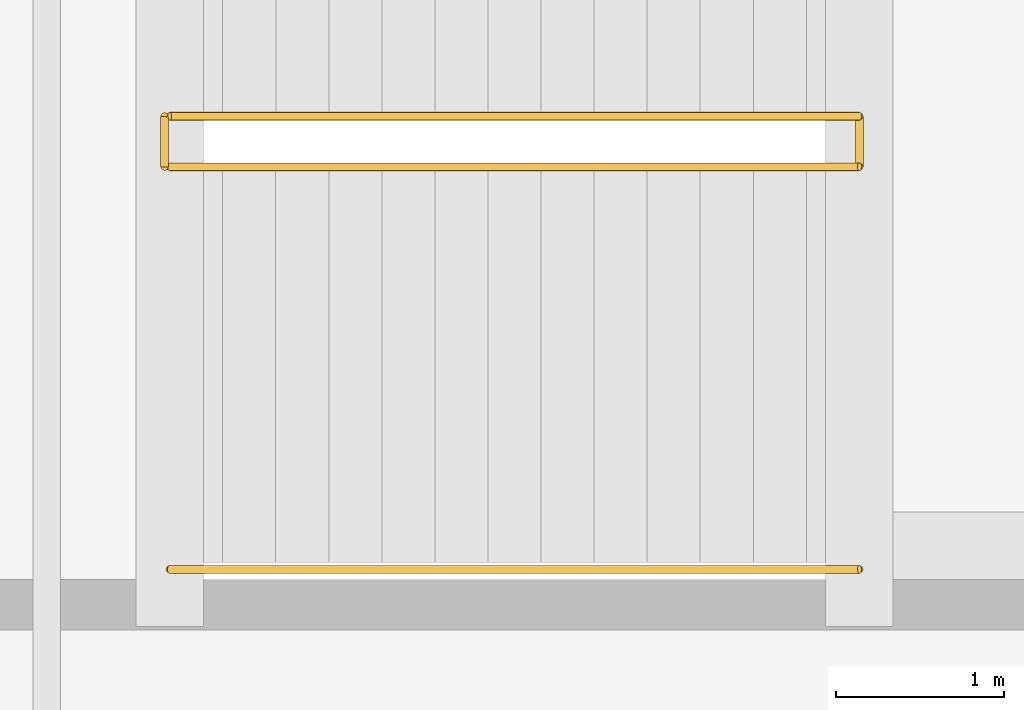
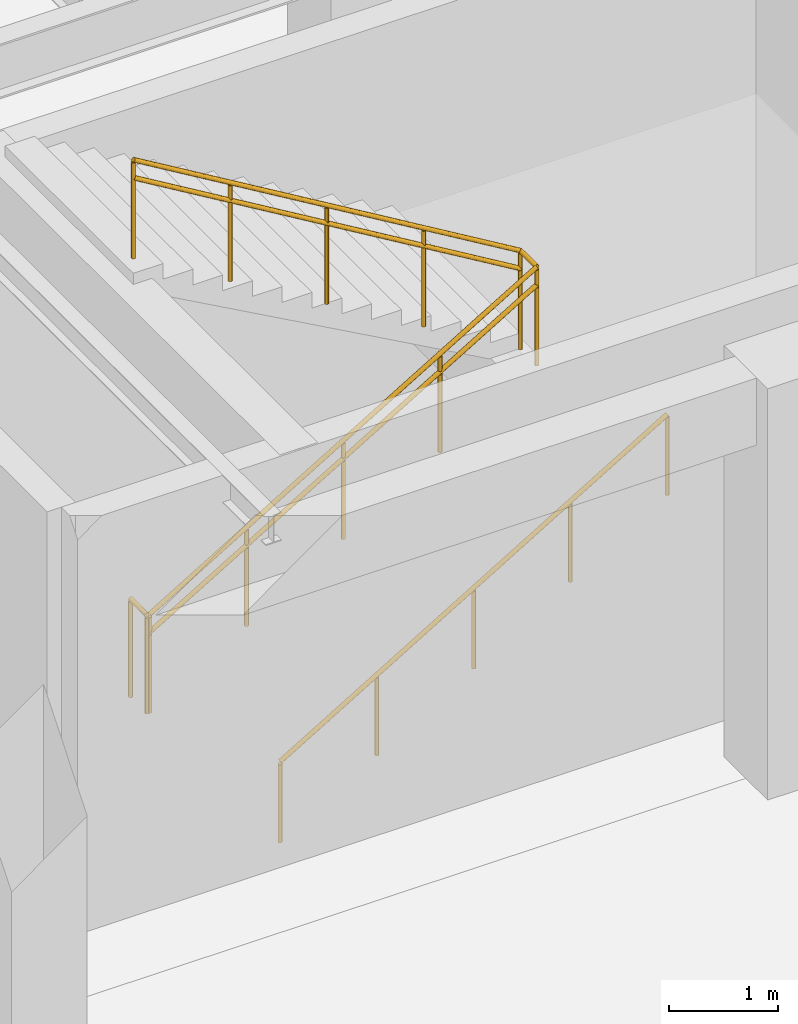
# One storey, part 51 of 60: 6 railings.
"""IFC4 building model written with IfcOpenShell, lengths in metres."""

from ifc_helpers import new_model, si_unit, direction, frame, origin, origin_2d, place, context, subcontext, project, spatial, circle, extrude, material, type_object, element, save


model = new_model("IFC4")

# Units and contexts
model_context = context("Model", 3, precision=1e-05, world=origin(), true_north=direction((0.0, 1.0)))
body_context = subcontext(model_context, "Body", "Model", "MODEL_VIEW")
ifc_project = project(units=[si_unit("LENGTHUNIT", "METRE"), si_unit("AREAUNIT", "SQUARE_METRE"), si_unit("VOLUMEUNIT", "CUBIC_METRE"), si_unit("PLANEANGLEUNIT", "RADIAN"), si_unit("MASSUNIT", "GRAM", prefix="KILO")], contexts=[model_context])

# Site, building, storey
site_placement = place(None, origin())
site = spatial("IfcSite", under=ifc_project, at=site_placement, CompositionType="ELEMENT")
building_placement = place(site_placement, origin())
building = spatial("IfcBuilding", under=site, at=building_placement, Name="Varnela Railside Interchange", CompositionType="ELEMENT")
storey_placement = place(building_placement, frame((0.0, 0.0, 6.300048828125)))
storey = spatial("IfcBuildingStorey", under=building, at=storey_placement, Name="L01", CompositionType="ELEMENT", Elevation=6.300048828125)

# Railings
ifc_material = material(Name="Steel AR 350 (350 MPa)", Category="steel")
railing_type_1 = type_object("IfcRailingType", Name="Stair & Ramp Pitch Handrail HR-01", PredefinedType="HANDRAIL", material=ifc_material)
railing_1_placement = place(storey_placement, frame((55.39990234375, 41.64990234375, 0.0)))
element("IfcRailing", 1, at=railing_1_placement, inside=storey, type_object=railing_type_1, Name="Stair Handrail ST-C1 Flight 1 (RL-0297)", PredefinedType="HANDRAIL", context=body_context, shape_type="SweptSolid", body=[
    extrude(circle(Radius=0.02392578125, at=origin_2d()), frame((0.0, 0.0, 0.89599609375), z_axis=(0.858155786212, 0.0, 0.513389371327), x_axis=(0.0, 1.0, 0.0)), (0.0, 0.0, 1.0), 4.772216796875),
    extrude(circle(Radius=0.02099609375, at=origin_2d()), origin(), (0.0, 0.0, 1.0), 0.871826171875),
    extrude(circle(Radius=0.02099609375, at=origin_2d()), frame((1.02392578125, 0.0, 0.612548828125)), (0.0, 0.0, 1.0), 0.871826171875),
    extrude(circle(Radius=0.02099609375, at=origin_2d()), frame((2.047607421875, 0.0, 1.22509765625)), (0.0, 0.0, 1.0), 0.871826171875),
    extrude(circle(Radius=0.02099609375, at=origin_2d()), frame((3.0712890625, 0.0, 1.83740234375)), (0.0, 0.0, 1.0), 0.871826171875),
    extrude(circle(Radius=0.02099609375, at=origin_2d()), frame((4.09521484375, 0.0, 2.449951171875)), (0.0, 0.0, 1.0), 0.871826171875),
])
railing_2_placement = place(storey_placement, frame((59.4951171875, 41.949951171875, 2.449951171875)))
element("IfcRailing", 2, at=railing_2_placement, inside=storey, type_object=railing_type_1, Name="Stair Handrail ST-C1 Flight 2 (RL-0298)", PredefinedType="HANDRAIL", context=body_context, shape_type="SweptSolid", body=[
    extrude(circle(Radius=0.02392578125, at=origin_2d()), frame((0.0, 0.0, 0.89599609375), z_axis=(-0.858155786212, 0.0, 0.513389371327), x_axis=(0.0, -1.0, 0.0)), (0.0, 0.0, 1.0), 4.772216796875),
    extrude(circle(Radius=0.02099609375, at=origin_2d()), origin(), (0.0, 0.0, 1.0), 0.871826171875),
    extrude(circle(Radius=0.02099609375, at=origin_2d()), frame((-1.02392578125, 0.0, 0.612548828125)), (0.0, 0.0, 1.0), 0.871826171875),
    extrude(circle(Radius=0.02099609375, at=origin_2d()), frame((-2.047607421875, 0.0, 1.22509765625)), (0.0, 0.0, 1.0), 0.871826171875),
    extrude(circle(Radius=0.02099609375, at=origin_2d()), frame((-3.0712890625, 0.0, 1.83740234375)), (0.0, 0.0, 1.0), 0.871826171875),
    extrude(circle(Radius=0.02099609375, at=origin_2d()), frame((-4.09521484375, 0.0, 2.449951171875)), (0.0, 0.0, 1.0), 0.871826171875),
])
railing_type_2 = type_object("IfcRailingType", Name="Stair Well & Landing Guard GR-02", PredefinedType="GUARDRAIL", material=ifc_material)
railing_3_placement = place(storey_placement, frame((55.3701171875, 41.64990234375, 0.0)))
element("IfcRailing", 3, at=railing_3_placement, inside=storey, type_object=railing_type_2, Name="Stair Well Slot Guard ST-C1 on L01 (RL-0261)", PredefinedType="GUARDRAIL", context=body_context, shape_type="SweptSolid", body=[
    extrude(circle(Radius=0.02392578125, at=origin_2d()), frame((0.0, 0.0, 1.09619140625), z_axis=(0.0, 1.0, 0.0), x_axis=(-1.0, 0.0, 0.0)), (0.0, 0.0, 1.0), 0.300048828125),
    extrude(circle(Radius=0.02099609375, at=origin_2d()), origin(), (0.0, 0.0, 1.0), 1.072021484375),
    extrude(circle(Radius=0.02099609375, at=origin_2d()), frame((0.0, 0.300048828125, 0.0)), (0.0, 0.0, 1.0), 1.072021484375),
])
railing_4_placement = place(storey_placement, frame((55.39990234375, 41.64990234375, 0.0)))
element("IfcRailing", 4, at=railing_4_placement, inside=storey, type_object=railing_type_2, Name="Stair Guard ST-C1 Half-Landing (RL-0259)", PredefinedType="GUARDRAIL", context=body_context, shape_type="SweptSolid", body=[
    extrude(circle(Radius=0.02392578125, at=origin_2d()), frame((0.0, 0.0, 1.09619140625), z_axis=(0.858155786212, 0.0, 0.513389371327), x_axis=(0.0, 1.0, 0.0)), (0.0, 0.0, 1.0), 4.772216796875),
    extrude(circle(Radius=0.02392578125, at=origin_2d()), frame((4.09521484375, 0.0, 3.5458984375), z_axis=(0.0, 1.0, 0.0), x_axis=(-1.0, 0.0, 0.0)), (0.0, 0.0, 1.0), 0.300048828125),
    extrude(circle(Radius=0.02099609375, at=origin_2d()), origin(), (0.0, 0.0, 1.0), 1.072021484375),
    extrude(circle(Radius=0.02099609375, at=origin_2d()), frame((1.02392578125, 0.0, 0.612548828125)), (0.0, 0.0, 1.0), 1.072021484375),
    extrude(circle(Radius=0.02099609375, at=origin_2d()), frame((2.047607421875, 0.0, 1.22509765625)), (0.0, 0.0, 1.0), 1.072021484375),
    extrude(circle(Radius=0.02099609375, at=origin_2d()), frame((3.0712890625, 0.0, 1.83740234375)), (0.0, 0.0, 1.0), 1.072021484375),
    extrude(circle(Radius=0.02099609375, at=origin_2d()), frame((4.09521484375, 0.0, 2.449951171875)), (0.0, 0.0, 1.0), 1.072021484375),
    extrude(circle(Radius=0.02099609375, at=origin_2d()), frame((4.09521484375, 0.300048828125, 2.449951171875)), (0.0, 0.0, 1.0), 1.072021484375),
])
railing_5_placement = place(storey_placement, frame((59.4951171875, 41.949951171875, 2.449951171875)))
element("IfcRailing", 5, at=railing_5_placement, inside=storey, type_object=railing_type_2, Name="Stair Guard ST-C1 Upper Flight (RL-0260)", PredefinedType="GUARDRAIL", context=body_context, shape_type="SweptSolid", body=[
    extrude(circle(Radius=0.02392578125, at=origin_2d()), frame((0.0, 0.0, 1.09619140625), z_axis=(-0.858155786212, 0.0, 0.513389371327), x_axis=(0.0, -1.0, 0.0)), (0.0, 0.0, 1.0), 4.772216796875),
    extrude(circle(Radius=0.02099609375, at=origin_2d()), origin(), (0.0, 0.0, 1.0), 1.072021484375),
    extrude(circle(Radius=0.02099609375, at=origin_2d()), frame((-1.02392578125, 0.0, 0.612548828125)), (0.0, 0.0, 1.0), 1.072021484375),
    extrude(circle(Radius=0.02099609375, at=origin_2d()), frame((-2.047607421875, 0.0, 1.22509765625)), (0.0, 0.0, 1.0), 1.072021484375),
    extrude(circle(Radius=0.02099609375, at=origin_2d()), frame((-3.0712890625, 0.0, 1.83740234375)), (0.0, 0.0, 1.0), 1.072021484375),
    extrude(circle(Radius=0.02099609375, at=origin_2d()), frame((-4.09521484375, 0.0, 2.449951171875)), (0.0, 0.0, 1.0), 1.072021484375),
])
railing_type_3 = type_object("IfcRailingType", Name="Wall-Mounted Stair Handrail HR-02", PredefinedType="HANDRAIL", material=ifc_material)
railing_6_placement = place(storey_placement, frame((55.39990234375, 39.260009765625, 0.0)))
element("IfcRailing", 6, at=railing_6_placement, inside=storey, type_object=railing_type_3, Name="Wall Handrail ST-C1 Flight 1 (RL-0319)", PredefinedType="HANDRAIL", context=body_context, shape_type="SweptSolid", body=[
    extrude(circle(Radius=0.02392578125, at=origin_2d()), frame((0.0, 0.0, 0.89599609375), z_axis=(0.858155786212, 0.0, 0.513389371327), x_axis=(0.0, 1.0, 0.0)), (0.0, 0.0, 1.0), 4.772216796875),
    extrude(circle(Radius=0.02099609375, at=origin_2d()), origin(), (0.0, 0.0, 1.0), 0.871826171875),
    extrude(circle(Radius=0.02099609375, at=origin_2d()), frame((1.02392578125, 0.0, 0.612548828125)), (0.0, 0.0, 1.0), 0.871826171875),
    extrude(circle(Radius=0.02099609375, at=origin_2d()), frame((2.047607421875, 0.0, 1.22509765625)), (0.0, 0.0, 1.0), 0.871826171875),
    extrude(circle(Radius=0.02099609375, at=origin_2d()), frame((3.0712890625, 0.0, 1.83740234375)), (0.0, 0.0, 1.0), 0.871826171875),
    extrude(circle(Radius=0.02099609375, at=origin_2d()), frame((4.09521484375, 0.0, 2.449951171875)), (0.0, 0.0, 1.0), 0.871826171875),
])

save(model, "model.ifc")
